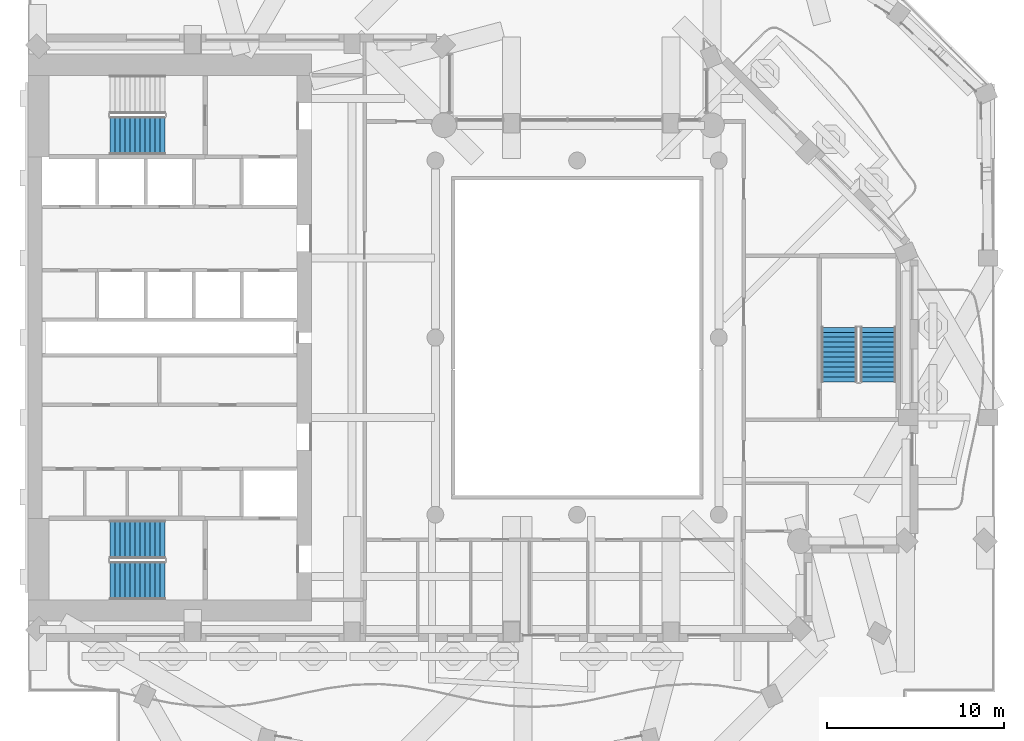
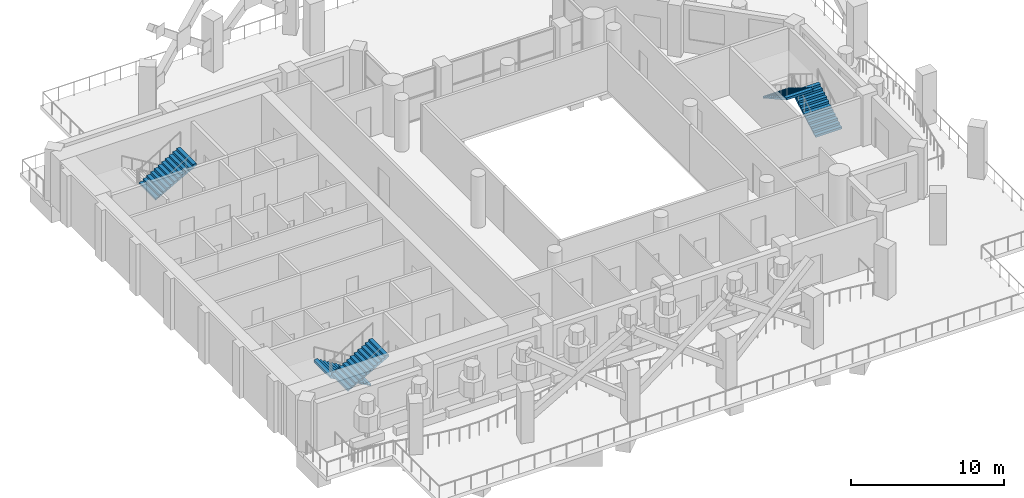
# One storey, part 10 of 18: 5 stair flights, 3 elements without a shape of their own.
"""IFC4 building model written with IfcOpenShell, lengths in metres."""

from ifc_helpers import new_model, si_unit, direction, frame, origin, place, context, subcontext, project, spatial, triangles, material, type_object, element, aggregate, save


model = new_model("IFC4")

# Units and contexts
model_context = context("Model", 3, precision=1e-05, world=origin(), true_north=direction((0.0, 1.0)))
body_context = subcontext(model_context, "Body", "Model", "MODEL_VIEW")
ifc_project = project(units=[si_unit("LENGTHUNIT", "METRE"), si_unit("AREAUNIT", "SQUARE_METRE"), si_unit("VOLUMEUNIT", "CUBIC_METRE"), si_unit("PLANEANGLEUNIT", "RADIAN"), si_unit("MASSUNIT", "GRAM", prefix="KILO")], contexts=[model_context])

# Site, building, storey
site_placement = place(None, origin())
site = spatial("IfcSite", under=ifc_project, at=site_placement, CompositionType="ELEMENT")
building_placement = place(site_placement, origin())
building = spatial("IfcBuilding", under=site, at=building_placement, Name="Cypress Arch Tower", CompositionType="ELEMENT")
storey_placement = place(building_placement, frame((0.0, 0.0, 160.5)))
storey = spatial("IfcBuildingStorey", under=building, at=storey_placement, Name="L34", CompositionType="ELEMENT", Elevation=160.5)

# Stair, stair flights
ifc_material_1 = material(Name="Concrete C40/50", Category="concrete")
stair_type_1 = type_object("IfcStairType", Name="Exit stair ES1708-200", PredefinedType="HALF_TURN_STAIR", material=ifc_material_1)
stair_1_placement = place(storey_placement, origin())
stair_1 = element("IfcStair", 1, at=stair_1_placement, inside=storey, type_object=stair_type_1, Name="L34 Exit stair C", PredefinedType="HALF_TURN_STAIR")
ifc_material_2 = material(Name="Concrete C40/50", Category="concrete")
stair_flight_type_1 = type_object("IfcStairFlightType", Name="Exit stair flight ES1708-200", PredefinedType="STRAIGHT", material=ifc_material_2)
stair_flight_1_placement = place(storey_placement, frame((18.0, -2.5, 0.0), z_axis=(0.0, 0.0, 1.0), x_axis=(0.0, 1.0, 0.0)))
stair_flight_1 = element("IfcStairFlight", 2, at=stair_flight_1_placement, type_object=stair_flight_type_1, Name="C flight 1", NumberOfRisers=12, NumberOfTreads=11, PredefinedType="STRAIGHT", RiserHeight=0.170833333, TreadLength=0.28, context=body_context, shape_type="Tessellation", body=[
    triangles([(0.0, -1.0, 0.0), (0.0, -1.0, 0.1708984375), (0.280029296875, -1.0, 0.1708984375), (0.280029296875, -1.0, 0.341552734375), (0.56005859375, -1.0, 0.341552734375), (0.56005859375, -1.0, 0.512451171875), (0.840087890625, -1.0, 0.512451171875), (0.840087890625, -1.0, 0.683349609375), (1.1201171875, -1.0, 0.683349609375), (1.1201171875, -1.0, 0.854248046875), (1.39990234375, -1.0, 0.854248046875), (1.39990234375, -1.0, 1.02490234375), (1.679931640625, -1.0, 1.02490234375), (1.679931640625, -1.0, 1.19580078125), (1.9599609375, -1.0, 1.19580078125), (1.9599609375, -1.0, 1.36669921875), (2.239990234375, -1.0, 1.36669921875), (2.239990234375, -1.0, 1.53759765625), (2.52001953125, -1.0, 1.53759765625), (2.52001953125, -1.0, 1.708251953125), (2.800048828125, -1.0, 1.708251953125), (2.800048828125, -1.0, 1.879150390625), (3.080078125, -1.0, 1.879150390625), (3.080078125, -1.0, 1.70361328125), (3.080078125, 1.0, 1.70361328125), (3.080078125, 1.0, 1.879150390625), (2.800048828125, 1.0, 1.879150390625), (2.800048828125, 1.0, 1.708251953125), (2.52001953125, 1.0, 1.708251953125), (2.52001953125, 1.0, 1.53759765625), (2.239990234375, 1.0, 1.53759765625), (2.239990234375, 1.0, 1.36669921875), (1.9599609375, 1.0, 1.36669921875), (1.9599609375, 1.0, 1.19580078125), (1.679931640625, 1.0, 1.19580078125), (1.679931640625, 1.0, 1.02490234375), (1.39990234375, 1.0, 1.02490234375), (1.39990234375, 1.0, 0.854248046875), (1.1201171875, 1.0, 0.854248046875), (1.1201171875, 1.0, 0.683349609375), (0.840087890625, 1.0, 0.683349609375), (0.840087890625, 1.0, 0.512451171875), (0.56005859375, 1.0, 0.512451171875), (0.56005859375, 1.0, 0.341552734375), (0.280029296875, 1.0, 0.341552734375), (0.280029296875, 1.0, 0.1708984375), (0.0, 1.0, 0.1708984375), (0.0, 1.0, 0.0), (3.080078125, 0.0, 1.879150390625), (3.080078125, 0.0, 1.70361328125), (2.800048828125, 0.0, 1.879150390625), (2.800048828125, 0.0, 1.708251953125), (2.52001953125, 0.0, 1.708251953125), (2.52001953125, 0.0, 1.53759765625), (2.239990234375, 0.0, 1.53759765625), (2.239990234375, 0.0, 1.36669921875), (1.9599609375, 0.0, 1.36669921875), (1.9599609375, 0.0, 1.19580078125), (1.679931640625, 0.0, 1.19580078125), (1.679931640625, 0.0, 1.02490234375), (1.39990234375, 0.0, 1.02490234375), (1.39990234375, 0.0, 0.854248046875), (1.1201171875, 0.0, 0.854248046875), (1.1201171875, 0.0, 0.683349609375), (0.840087890625, 0.0, 0.683349609375), (0.840087890625, 0.0, 0.512451171875), (0.56005859375, 0.0, 0.512451171875), (0.56005859375, 0.0, 0.341552734375), (0.280029296875, 0.0, 0.341552734375), (0.280029296875, 0.0, 0.1708984375), (0.0, 0.0, 0.1708984375), (0.0, 0.0, 0.0)], [[24, 23, 22], [11, 10, 9], [19, 18, 17], [17, 16, 15], [15, 14, 13], [9, 8, 7], [7, 6, 5], [3, 2, 1], [21, 20, 19], [13, 12, 11], [5, 4, 3], [24, 22, 21], [24, 21, 19], [24, 19, 17], [24, 17, 15], [24, 15, 13], [24, 13, 11], [24, 11, 9], [24, 9, 7], [24, 7, 5], [1, 24, 5], [5, 3, 1], [25, 27, 26], [38, 40, 39], [30, 32, 31], [32, 34, 33], [34, 36, 35], [40, 42, 41], [42, 44, 43], [46, 48, 47], [28, 30, 29], [36, 38, 37], [44, 46, 45], [25, 28, 27], [25, 30, 28], [25, 32, 30], [25, 34, 32], [25, 36, 34], [25, 38, 36], [25, 40, 38], [25, 42, 40], [25, 44, 42], [48, 44, 25], [44, 48, 46], [50, 49, 23], [50, 23, 24], [25, 26, 49], [25, 49, 50], [49, 51, 22], [49, 22, 23], [26, 27, 51], [26, 51, 49], [51, 52, 21], [51, 21, 22], [27, 28, 52], [27, 52, 51], [52, 53, 20], [52, 20, 21], [28, 29, 53], [28, 53, 52], [53, 54, 19], [53, 19, 20], [29, 30, 54], [29, 54, 53], [54, 55, 18], [54, 18, 19], [30, 31, 55], [30, 55, 54], [55, 56, 17], [55, 17, 18], [31, 32, 56], [31, 56, 55], [56, 57, 16], [56, 16, 17], [32, 33, 57], [32, 57, 56], [57, 58, 15], [57, 15, 16], [33, 34, 58], [33, 58, 57], [58, 59, 14], [58, 14, 15], [34, 35, 59], [34, 59, 58], [59, 60, 13], [59, 13, 14], [35, 36, 60], [35, 60, 59], [60, 61, 12], [60, 12, 13], [36, 37, 61], [36, 61, 60], [61, 62, 11], [61, 11, 12], [37, 38, 62], [37, 62, 61], [62, 63, 10], [62, 10, 11], [38, 39, 63], [38, 63, 62], [63, 64, 9], [63, 9, 10], [39, 40, 64], [39, 64, 63], [64, 65, 8], [64, 8, 9], [40, 41, 65], [40, 65, 64], [65, 66, 7], [65, 7, 8], [41, 42, 66], [41, 66, 65], [66, 67, 6], [66, 6, 7], [42, 43, 67], [42, 67, 66], [67, 68, 5], [67, 5, 6], [43, 44, 68], [43, 68, 67], [68, 69, 4], [68, 4, 5], [44, 45, 69], [44, 69, 68], [69, 70, 3], [69, 3, 4], [45, 46, 70], [45, 70, 69], [70, 71, 2], [70, 2, 3], [46, 47, 71], [46, 71, 70], [71, 72, 1], [71, 1, 2], [47, 48, 72], [47, 72, 71], [72, 50, 24], [72, 24, 1], [48, 25, 50], [48, 50, 72]], closed=True),
])
stair_flight_2_placement = place(storey_placement, frame((15.800048828125, 0.580078125, 2.050048828125), z_axis=(0.0, 0.0, 1.0), x_axis=(0.0, -1.0, 0.0)))
stair_flight_2 = element("IfcStairFlight", 3, at=stair_flight_2_placement, type_object=stair_flight_type_1, Name="C flight 2", NumberOfRisers=12, NumberOfTreads=11, PredefinedType="STRAIGHT", RiserHeight=0.170833333, TreadLength=0.28, context=body_context, shape_type="Tessellation", body=[
    triangles([(0.0, -1.0, 0.0), (0.0, -1.0, 0.1708984375), (0.280029296875, -1.0, 0.1708984375), (0.280029296875, -1.0, 0.341552734375), (0.56005859375, -1.0, 0.341552734375), (0.56005859375, -1.0, 0.512451171875), (0.840087890625, -1.0, 0.512451171875), (0.840087890625, -1.0, 0.683349609375), (1.1201171875, -1.0, 0.683349609375), (1.1201171875, -1.0, 0.854248046875), (1.39990234375, -1.0, 0.854248046875), (1.39990234375, -1.0, 1.02490234375), (1.679931640625, -1.0, 1.02490234375), (1.679931640625, -1.0, 1.19580078125), (1.9599609375, -1.0, 1.19580078125), (1.9599609375, -1.0, 1.36669921875), (2.239990234375, -1.0, 1.36669921875), (2.239990234375, -1.0, 1.53759765625), (2.52001953125, -1.0, 1.53759765625), (2.52001953125, -1.0, 1.708251953125), (2.800048828125, -1.0, 1.708251953125), (2.800048828125, -1.0, 1.879150390625), (3.080078125, -1.0, 1.879150390625), (3.080078125, -1.0, 1.70361328125), (3.080078125, 1.0, 1.70361328125), (3.080078125, 1.0, 1.879150390625), (2.800048828125, 1.0, 1.879150390625), (2.800048828125, 1.0, 1.708251953125), (2.52001953125, 1.0, 1.708251953125), (2.52001953125, 1.0, 1.53759765625), (2.239990234375, 1.0, 1.53759765625), (2.239990234375, 1.0, 1.36669921875), (1.9599609375, 1.0, 1.36669921875), (1.9599609375, 1.0, 1.19580078125), (1.679931640625, 1.0, 1.19580078125), (1.679931640625, 1.0, 1.02490234375), (1.39990234375, 1.0, 1.02490234375), (1.39990234375, 1.0, 0.854248046875), (1.1201171875, 1.0, 0.854248046875), (1.1201171875, 1.0, 0.683349609375), (0.840087890625, 1.0, 0.683349609375), (0.840087890625, 1.0, 0.512451171875), (0.56005859375, 1.0, 0.512451171875), (0.56005859375, 1.0, 0.341552734375), (0.280029296875, 1.0, 0.341552734375), (0.280029296875, 1.0, 0.1708984375), (0.0, 1.0, 0.1708984375), (0.0, 1.0, 0.0), (3.080078125, 0.0, 1.879150390625), (3.080078125, 0.0, 1.70361328125), (2.800048828125, 0.0, 1.879150390625), (2.800048828125, 0.0, 1.708251953125), (2.52001953125, 0.0, 1.708251953125), (2.52001953125, 0.0, 1.53759765625), (2.239990234375, 0.0, 1.53759765625), (2.239990234375, 0.0, 1.36669921875), (1.9599609375, 0.0, 1.36669921875), (1.9599609375, 0.0, 1.19580078125), (1.679931640625, 0.0, 1.19580078125), (1.679931640625, 0.0, 1.02490234375), (1.39990234375, 0.0, 1.02490234375), (1.39990234375, 0.0, 0.854248046875), (1.1201171875, 0.0, 0.854248046875), (1.1201171875, 0.0, 0.683349609375), (0.840087890625, 0.0, 0.683349609375), (0.840087890625, 0.0, 0.512451171875), (0.56005859375, 0.0, 0.512451171875), (0.56005859375, 0.0, 0.341552734375), (0.280029296875, 0.0, 0.341552734375), (0.280029296875, 0.0, 0.1708984375), (0.0, 0.0, 0.1708984375), (0.0, 0.0, 0.0)], [[24, 23, 22], [11, 10, 9], [19, 18, 17], [17, 16, 15], [15, 14, 13], [9, 8, 7], [7, 6, 5], [3, 2, 1], [21, 20, 19], [13, 12, 11], [5, 4, 3], [24, 22, 21], [24, 21, 19], [24, 19, 17], [24, 17, 15], [24, 15, 13], [24, 13, 11], [24, 11, 9], [24, 9, 7], [24, 7, 5], [1, 24, 5], [5, 3, 1], [25, 27, 26], [38, 40, 39], [30, 32, 31], [32, 34, 33], [34, 36, 35], [40, 42, 41], [42, 44, 43], [46, 48, 47], [28, 30, 29], [36, 38, 37], [44, 46, 45], [25, 28, 27], [25, 30, 28], [25, 32, 30], [25, 34, 32], [25, 36, 34], [25, 38, 36], [25, 40, 38], [25, 42, 40], [25, 44, 42], [48, 44, 25], [44, 48, 46], [50, 49, 23], [50, 23, 24], [25, 26, 49], [25, 49, 50], [49, 51, 22], [49, 22, 23], [26, 27, 51], [26, 51, 49], [51, 52, 21], [51, 21, 22], [27, 28, 52], [27, 52, 51], [52, 53, 20], [52, 20, 21], [28, 29, 53], [28, 53, 52], [53, 54, 19], [53, 19, 20], [29, 30, 54], [29, 54, 53], [54, 55, 18], [54, 18, 19], [30, 31, 55], [30, 55, 54], [55, 56, 17], [55, 17, 18], [31, 32, 56], [31, 56, 55], [56, 57, 16], [56, 16, 17], [32, 33, 57], [32, 57, 56], [57, 58, 15], [57, 15, 16], [33, 34, 58], [33, 58, 57], [58, 59, 14], [58, 14, 15], [34, 35, 59], [34, 59, 58], [59, 60, 13], [59, 13, 14], [35, 36, 60], [35, 60, 59], [60, 61, 12], [60, 12, 13], [36, 37, 61], [36, 61, 60], [61, 62, 11], [61, 11, 12], [37, 38, 62], [37, 62, 61], [62, 63, 10], [62, 10, 11], [38, 39, 63], [38, 63, 62], [63, 64, 9], [63, 9, 10], [39, 40, 64], [39, 64, 63], [64, 65, 8], [64, 8, 9], [40, 41, 65], [40, 65, 64], [65, 66, 7], [65, 7, 8], [41, 42, 66], [41, 66, 65], [66, 67, 6], [66, 6, 7], [42, 43, 67], [42, 67, 66], [67, 68, 5], [67, 5, 6], [43, 44, 68], [43, 68, 67], [68, 69, 4], [68, 4, 5], [44, 45, 69], [44, 69, 68], [69, 70, 3], [69, 3, 4], [45, 46, 70], [45, 70, 69], [70, 71, 2], [70, 2, 3], [46, 47, 71], [46, 71, 70], [71, 72, 1], [71, 1, 2], [47, 48, 72], [47, 72, 71], [72, 50, 24], [72, 24, 1], [48, 25, 50], [48, 50, 72]], closed=True),
])
aggregate(stair_1, [stair_flight_1, stair_flight_2])

ifc_material_3 = material(Name="Concrete C40/50", Category="concrete")
stair_type_2 = type_object("IfcStairType", Name="Exit stair ES1708-215", PredefinedType="HALF_TURN_STAIR", material=ifc_material_3)
stair_2_placement = place(storey_placement, origin())
stair_2 = element("IfcStair", 4, at=stair_2_placement, inside=storey, type_object=stair_type_2, Name="L34 Exit stair A", PredefinedType="HALF_TURN_STAIR")
ifc_material_4 = material(Name="Concrete C40/50", Category="concrete")
stair_flight_type_2 = type_object("IfcStairFlightType", Name="Exit stair flight ES1708-215", PredefinedType="STRAIGHT", material=ifc_material_4)
stair_flight_3_placement = place(storey_placement, frame((-22.27490234375, -11.39990234375, 0.0), z_axis=(0.0, 0.0, 1.0), x_axis=(-1.0, 0.0, 0.0)))
stair_flight_3 = element("IfcStairFlight", 5, at=stair_flight_3_placement, type_object=stair_flight_type_2, Name="A flight 1", NumberOfRisers=12, NumberOfTreads=11, PredefinedType="STRAIGHT", RiserHeight=0.170833333, TreadLength=0.28, context=body_context, shape_type="Tessellation", body=[
    triangles([(0.0, -1.074951171875, 0.0), (0.000244140625, -1.074951171875, 0.01904296875), (0.000244140625, -1.074951171875, 0.0380859375), (0.00048828125, -1.074951171875, 0.056884765625), (0.00048828125, -1.074951171875, 0.075927734375), (0.00048828125, -1.074951171875, 0.094970703125), (0.00048828125, -1.074951171875, 0.114013671875), (0.000244140625, -1.074951171875, 0.1328125), (0.000244140625, -1.074951171875, 0.15185546875), (0.0, -1.074951171875, 0.1708984375), (0.280029296875, -1.074951171875, 0.1708984375), (0.280029296875, -1.074951171875, 0.341552734375), (0.56005859375, -1.074951171875, 0.341552734375), (0.56005859375, -1.074951171875, 0.512451171875), (0.840087890625, -1.074951171875, 0.512451171875), (0.840087890625, -1.074951171875, 0.683349609375), (1.1201171875, -1.074951171875, 0.683349609375), (1.1201171875, -1.074951171875, 0.854248046875), (1.39990234375, -1.074951171875, 0.854248046875), (1.39990234375, -1.074951171875, 1.02490234375), (1.679931640625, -1.074951171875, 1.02490234375), (1.679931640625, -1.074951171875, 1.19580078125), (1.9599609375, -1.074951171875, 1.19580078125), (1.9599609375, -1.074951171875, 1.36669921875), (2.239990234375, -1.074951171875, 1.36669921875), (2.239990234375, -1.074951171875, 1.53759765625), (2.52001953125, -1.074951171875, 1.53759765625), (2.52001953125, -1.074951171875, 1.708251953125), (2.800048828125, -1.074951171875, 1.708251953125), (2.800048828125, -1.074951171875, 1.879150390625), (3.080078125, -1.074951171875, 1.879150390625), (3.079833984375, -1.074951171875, 1.859619140625), (3.079833984375, -1.074951171875, 1.840087890625), (3.07958984375, -1.074951171875, 1.820556640625), (3.07958984375, -1.074951171875, 1.801025390625), (3.07958984375, -1.074951171875, 1.78173828125), (3.07958984375, -1.074951171875, 1.76220703125), (3.079833984375, -1.074951171875, 1.74267578125), (3.079833984375, -1.074951171875, 1.72314453125), (3.080078125, -1.074951171875, 1.70361328125), (3.080078125, 1.074951171875, 1.70361328125), (3.079833984375, 1.074951171875, 1.72314453125), (3.079833984375, 1.074951171875, 1.74267578125), (3.07958984375, 1.074951171875, 1.76220703125), (3.07958984375, 1.074951171875, 1.78173828125), (3.07958984375, 1.074951171875, 1.801025390625), (3.07958984375, 1.074951171875, 1.820556640625), (3.079833984375, 1.074951171875, 1.840087890625), (3.079833984375, 1.074951171875, 1.859619140625), (3.080078125, 1.074951171875, 1.879150390625), (2.800048828125, 1.074951171875, 1.879150390625), (2.800048828125, 1.074951171875, 1.708251953125), (2.52001953125, 1.074951171875, 1.708251953125), (2.52001953125, 1.074951171875, 1.53759765625), (2.239990234375, 1.074951171875, 1.53759765625), (2.239990234375, 1.074951171875, 1.36669921875), (1.9599609375, 1.074951171875, 1.36669921875), (1.9599609375, 1.074951171875, 1.19580078125), (1.679931640625, 1.074951171875, 1.19580078125), (1.679931640625, 1.074951171875, 1.02490234375), (1.39990234375, 1.074951171875, 1.02490234375), (1.39990234375, 1.074951171875, 0.854248046875), (1.1201171875, 1.074951171875, 0.854248046875), (1.1201171875, 1.074951171875, 0.683349609375), (0.840087890625, 1.074951171875, 0.683349609375), (0.840087890625, 1.074951171875, 0.512451171875), (0.56005859375, 1.074951171875, 0.512451171875), (0.56005859375, 1.074951171875, 0.341552734375), (0.280029296875, 1.074951171875, 0.341552734375), (0.280029296875, 1.074951171875, 0.1708984375), (0.0, 1.074951171875, 0.1708984375), (0.000244140625, 1.074951171875, 0.15185546875), (0.000244140625, 1.074951171875, 0.1328125), (0.00048828125, 1.074951171875, 0.114013671875), (0.00048828125, 1.074951171875, 0.094970703125), (0.00048828125, 1.074951171875, 0.075927734375), (0.00048828125, 1.074951171875, 0.056884765625), (0.000244140625, 1.074951171875, 0.0380859375), (0.000244140625, 1.074951171875, 0.01904296875), (0.0, 1.074951171875, 0.0)], [[40, 39, 30], [39, 38, 30], [38, 37, 30], [37, 36, 30], [36, 35, 30], [35, 34, 30], [34, 33, 30], [33, 32, 30], [32, 31, 30], [19, 18, 17], [27, 26, 25], [25, 24, 23], [23, 22, 21], [17, 16, 15], [15, 14, 13], [10, 9, 11], [9, 8, 11], [8, 7, 11], [7, 6, 11], [6, 5, 11], [5, 4, 11], [4, 3, 11], [3, 2, 11], [2, 1, 11], [29, 28, 27], [21, 20, 19], [13, 12, 11], [40, 30, 29], [40, 29, 27], [40, 27, 25], [40, 25, 23], [40, 23, 21], [40, 21, 19], [40, 19, 17], [40, 17, 15], [40, 15, 13], [1, 40, 13], [13, 11, 1], [41, 51, 42], [42, 51, 43], [43, 51, 44], [44, 51, 45], [45, 51, 46], [46, 51, 47], [47, 51, 48], [48, 51, 49], [49, 51, 50], [62, 64, 63], [54, 56, 55], [56, 58, 57], [58, 60, 59], [64, 66, 65], [66, 68, 67], [71, 70, 72], [72, 70, 73], [73, 70, 74], [74, 70, 75], [75, 70, 76], [76, 70, 77], [77, 70, 78], [78, 70, 79], [79, 70, 80], [52, 54, 53], [60, 62, 61], [68, 70, 69], [41, 52, 51], [41, 54, 52], [41, 56, 54], [41, 58, 56], [41, 60, 58], [41, 62, 60], [41, 64, 62], [41, 66, 64], [41, 68, 66], [80, 68, 41], [68, 80, 70], [41, 42, 39], [41, 39, 40], [42, 43, 38], [42, 38, 39], [43, 44, 37], [43, 37, 38], [44, 45, 36], [44, 36, 37], [45, 46, 35], [45, 35, 36], [46, 47, 34], [46, 34, 35], [47, 48, 33], [47, 33, 34], [48, 49, 32], [48, 32, 33], [49, 50, 31], [49, 31, 32], [50, 51, 30], [50, 30, 31], [51, 52, 29], [51, 29, 30], [52, 53, 28], [52, 28, 29], [53, 54, 27], [53, 27, 28], [54, 55, 26], [54, 26, 27], [55, 56, 25], [55, 25, 26], [56, 57, 24], [56, 24, 25], [57, 58, 23], [57, 23, 24], [58, 59, 22], [58, 22, 23], [59, 60, 21], [59, 21, 22], [60, 61, 20], [60, 20, 21], [61, 62, 19], [61, 19, 20], [62, 63, 18], [62, 18, 19], [63, 64, 17], [63, 17, 18], [64, 65, 16], [64, 16, 17], [65, 66, 15], [65, 15, 16], [66, 67, 14], [66, 14, 15], [67, 68, 13], [67, 13, 14], [68, 69, 12], [68, 12, 13], [69, 70, 11], [69, 11, 12], [70, 71, 10], [70, 10, 11], [71, 72, 9], [71, 9, 10], [72, 73, 8], [72, 8, 9], [73, 74, 7], [73, 7, 8], [74, 75, 6], [74, 6, 7], [75, 76, 5], [75, 5, 6], [76, 77, 4], [76, 4, 5], [77, 78, 3], [77, 3, 4], [78, 79, 2], [78, 2, 3], [79, 80, 1], [79, 1, 2], [80, 41, 40], [80, 40, 1]], closed=True),
])
stair_flight_4_placement = place(storey_placement, frame((-25.35498046875, -13.72509765625, 2.050048828125), z_axis=(0.0, 0.0, 1.0), x_axis=(1.0, 0.0, 0.0)))
stair_flight_4 = element("IfcStairFlight", 6, at=stair_flight_4_placement, type_object=stair_flight_type_2, Name="A flight 2", NumberOfRisers=12, NumberOfTreads=11, PredefinedType="STRAIGHT", RiserHeight=0.170833333, TreadLength=0.28, context=body_context, shape_type="Tessellation", body=[
    triangles([(0.0, -1.074951171875, 0.0), (0.000244140625, -1.074951171875, 0.01904296875), (0.000244140625, -1.074951171875, 0.0380859375), (0.00048828125, -1.074951171875, 0.056884765625), (0.00048828125, -1.074951171875, 0.075927734375), (0.00048828125, -1.074951171875, 0.094970703125), (0.00048828125, -1.074951171875, 0.114013671875), (0.000244140625, -1.074951171875, 0.1328125), (0.000244140625, -1.074951171875, 0.15185546875), (0.0, -1.074951171875, 0.1708984375), (0.280029296875, -1.074951171875, 0.1708984375), (0.280029296875, -1.074951171875, 0.341552734375), (0.56005859375, -1.074951171875, 0.341552734375), (0.56005859375, -1.074951171875, 0.512451171875), (0.840087890625, -1.074951171875, 0.512451171875), (0.840087890625, -1.074951171875, 0.683349609375), (1.1201171875, -1.074951171875, 0.683349609375), (1.1201171875, -1.074951171875, 0.854248046875), (1.39990234375, -1.074951171875, 0.854248046875), (1.39990234375, -1.074951171875, 1.02490234375), (1.679931640625, -1.074951171875, 1.02490234375), (1.679931640625, -1.074951171875, 1.19580078125), (1.9599609375, -1.074951171875, 1.19580078125), (1.9599609375, -1.074951171875, 1.36669921875), (2.239990234375, -1.074951171875, 1.36669921875), (2.239990234375, -1.074951171875, 1.53759765625), (2.52001953125, -1.074951171875, 1.53759765625), (2.52001953125, -1.074951171875, 1.708251953125), (2.800048828125, -1.074951171875, 1.708251953125), (2.800048828125, -1.074951171875, 1.879150390625), (3.080078125, -1.074951171875, 1.879150390625), (3.079833984375, -1.074951171875, 1.859619140625), (3.079833984375, -1.074951171875, 1.840087890625), (3.07958984375, -1.074951171875, 1.820556640625), (3.07958984375, -1.074951171875, 1.801025390625), (3.07958984375, -1.074951171875, 1.78173828125), (3.07958984375, -1.074951171875, 1.76220703125), (3.079833984375, -1.074951171875, 1.74267578125), (3.079833984375, -1.074951171875, 1.72314453125), (3.080078125, -1.074951171875, 1.70361328125), (3.080078125, 1.074951171875, 1.70361328125), (3.079833984375, 1.074951171875, 1.72314453125), (3.079833984375, 1.074951171875, 1.74267578125), (3.07958984375, 1.074951171875, 1.76220703125), (3.07958984375, 1.074951171875, 1.78173828125), (3.07958984375, 1.074951171875, 1.801025390625), (3.07958984375, 1.074951171875, 1.820556640625), (3.079833984375, 1.074951171875, 1.840087890625), (3.079833984375, 1.074951171875, 1.859619140625), (3.080078125, 1.074951171875, 1.879150390625), (2.800048828125, 1.074951171875, 1.879150390625), (2.800048828125, 1.074951171875, 1.708251953125), (2.52001953125, 1.074951171875, 1.708251953125), (2.52001953125, 1.074951171875, 1.53759765625), (2.239990234375, 1.074951171875, 1.53759765625), (2.239990234375, 1.074951171875, 1.36669921875), (1.9599609375, 1.074951171875, 1.36669921875), (1.9599609375, 1.074951171875, 1.19580078125), (1.679931640625, 1.074951171875, 1.19580078125), (1.679931640625, 1.074951171875, 1.02490234375), (1.39990234375, 1.074951171875, 1.02490234375), (1.39990234375, 1.074951171875, 0.854248046875), (1.1201171875, 1.074951171875, 0.854248046875), (1.1201171875, 1.074951171875, 0.683349609375), (0.840087890625, 1.074951171875, 0.683349609375), (0.840087890625, 1.074951171875, 0.512451171875), (0.56005859375, 1.074951171875, 0.512451171875), (0.56005859375, 1.074951171875, 0.341552734375), (0.280029296875, 1.074951171875, 0.341552734375), (0.280029296875, 1.074951171875, 0.1708984375), (0.0, 1.074951171875, 0.1708984375), (0.000244140625, 1.074951171875, 0.15185546875), (0.000244140625, 1.074951171875, 0.1328125), (0.00048828125, 1.074951171875, 0.114013671875), (0.00048828125, 1.074951171875, 0.094970703125), (0.00048828125, 1.074951171875, 0.075927734375), (0.00048828125, 1.074951171875, 0.056884765625), (0.000244140625, 1.074951171875, 0.0380859375), (0.000244140625, 1.074951171875, 0.01904296875), (0.0, 1.074951171875, 0.0)], [[40, 39, 30], [39, 38, 30], [38, 37, 30], [37, 36, 30], [36, 35, 30], [35, 34, 30], [34, 33, 30], [33, 32, 30], [32, 31, 30], [19, 18, 17], [27, 26, 25], [25, 24, 23], [23, 22, 21], [17, 16, 15], [15, 14, 13], [10, 9, 11], [9, 8, 11], [8, 7, 11], [7, 6, 11], [6, 5, 11], [5, 4, 11], [4, 3, 11], [3, 2, 11], [2, 1, 11], [29, 28, 27], [21, 20, 19], [13, 12, 11], [40, 30, 29], [40, 29, 27], [40, 27, 25], [40, 25, 23], [40, 23, 21], [40, 21, 19], [40, 19, 17], [40, 17, 15], [40, 15, 13], [1, 40, 13], [13, 11, 1], [41, 51, 42], [42, 51, 43], [43, 51, 44], [44, 51, 45], [45, 51, 46], [46, 51, 47], [47, 51, 48], [48, 51, 49], [49, 51, 50], [62, 64, 63], [54, 56, 55], [56, 58, 57], [58, 60, 59], [64, 66, 65], [66, 68, 67], [71, 70, 72], [72, 70, 73], [73, 70, 74], [74, 70, 75], [75, 70, 76], [76, 70, 77], [77, 70, 78], [78, 70, 79], [79, 70, 80], [52, 54, 53], [60, 62, 61], [68, 70, 69], [41, 52, 51], [41, 54, 52], [41, 56, 54], [41, 58, 56], [41, 60, 58], [41, 62, 60], [41, 64, 62], [41, 66, 64], [41, 68, 66], [80, 68, 41], [68, 80, 70], [41, 42, 39], [41, 39, 40], [42, 43, 38], [42, 38, 39], [43, 44, 37], [43, 37, 38], [44, 45, 36], [44, 36, 37], [45, 46, 35], [45, 35, 36], [46, 47, 34], [46, 34, 35], [47, 48, 33], [47, 33, 34], [48, 49, 32], [48, 32, 33], [49, 50, 31], [49, 31, 32], [50, 51, 30], [50, 30, 31], [51, 52, 29], [51, 29, 30], [52, 53, 28], [52, 28, 29], [53, 54, 27], [53, 27, 28], [54, 55, 26], [54, 26, 27], [55, 56, 25], [55, 25, 26], [56, 57, 24], [56, 24, 25], [57, 58, 23], [57, 23, 24], [58, 59, 22], [58, 22, 23], [59, 60, 21], [59, 21, 22], [60, 61, 20], [60, 20, 21], [61, 62, 19], [61, 19, 20], [62, 63, 18], [62, 18, 19], [63, 64, 17], [63, 17, 18], [64, 65, 16], [64, 16, 17], [65, 66, 15], [65, 15, 16], [66, 67, 14], [66, 14, 15], [67, 68, 13], [67, 13, 14], [68, 69, 12], [68, 12, 13], [69, 70, 11], [69, 11, 12], [70, 71, 10], [70, 10, 11], [71, 72, 9], [71, 9, 10], [72, 73, 8], [72, 8, 9], [73, 74, 7], [73, 7, 8], [74, 75, 6], [74, 6, 7], [75, 76, 5], [75, 5, 6], [76, 77, 4], [76, 4, 5], [77, 78, 3], [77, 3, 4], [78, 79, 2], [78, 2, 3], [79, 80, 1], [79, 1, 2], [80, 41, 40], [80, 40, 1]], closed=True),
])
aggregate(stair_2, [stair_flight_3, stair_flight_4])

# Stair, stair flight
stair_3_placement = place(storey_placement, origin())
stair_3 = element("IfcStair", 7, at=stair_3_placement, inside=storey, type_object=stair_type_2, Name="L34 Exit stair B", PredefinedType="HALF_TURN_STAIR")
stair_flight_5_placement = place(storey_placement, frame((-25.35498046875, 11.39990234375, 2.050048828125), z_axis=(0.0, 0.0, 1.0), x_axis=(1.0, 0.0, 0.0)))
stair_flight_5 = element("IfcStairFlight", 8, at=stair_flight_5_placement, type_object=stair_flight_type_2, Name="B flight 2", NumberOfRisers=12, NumberOfTreads=11, PredefinedType="STRAIGHT", RiserHeight=0.170833333, TreadLength=0.28, context=body_context, shape_type="Tessellation", body=[
    triangles([(0.0, -1.074951171875, 0.0), (0.000244140625, -1.074951171875, 0.01904296875), (0.000244140625, -1.074951171875, 0.0380859375), (0.00048828125, -1.074951171875, 0.056884765625), (0.00048828125, -1.074951171875, 0.075927734375), (0.00048828125, -1.074951171875, 0.094970703125), (0.00048828125, -1.074951171875, 0.114013671875), (0.000244140625, -1.074951171875, 0.1328125), (0.000244140625, -1.074951171875, 0.15185546875), (0.0, -1.074951171875, 0.1708984375), (0.280029296875, -1.074951171875, 0.1708984375), (0.280029296875, -1.074951171875, 0.341552734375), (0.56005859375, -1.074951171875, 0.341552734375), (0.56005859375, -1.074951171875, 0.512451171875), (0.840087890625, -1.074951171875, 0.512451171875), (0.840087890625, -1.074951171875, 0.683349609375), (1.1201171875, -1.074951171875, 0.683349609375), (1.1201171875, -1.074951171875, 0.854248046875), (1.39990234375, -1.074951171875, 0.854248046875), (1.39990234375, -1.074951171875, 1.02490234375), (1.679931640625, -1.074951171875, 1.02490234375), (1.679931640625, -1.074951171875, 1.19580078125), (1.9599609375, -1.074951171875, 1.19580078125), (1.9599609375, -1.074951171875, 1.36669921875), (2.239990234375, -1.074951171875, 1.36669921875), (2.239990234375, -1.074951171875, 1.53759765625), (2.52001953125, -1.074951171875, 1.53759765625), (2.52001953125, -1.074951171875, 1.708251953125), (2.800048828125, -1.074951171875, 1.708251953125), (2.800048828125, -1.074951171875, 1.879150390625), (3.080078125, -1.074951171875, 1.879150390625), (3.079833984375, -1.074951171875, 1.859619140625), (3.079833984375, -1.074951171875, 1.840087890625), (3.07958984375, -1.074951171875, 1.820556640625), (3.07958984375, -1.074951171875, 1.801025390625), (3.07958984375, -1.074951171875, 1.78173828125), (3.07958984375, -1.074951171875, 1.76220703125), (3.079833984375, -1.074951171875, 1.74267578125), (3.079833984375, -1.074951171875, 1.72314453125), (3.080078125, -1.074951171875, 1.70361328125), (3.080078125, 1.074951171875, 1.70361328125), (3.079833984375, 1.074951171875, 1.72314453125), (3.079833984375, 1.074951171875, 1.74267578125), (3.07958984375, 1.074951171875, 1.76220703125), (3.07958984375, 1.074951171875, 1.78173828125), (3.07958984375, 1.074951171875, 1.801025390625), (3.07958984375, 1.074951171875, 1.820556640625), (3.079833984375, 1.074951171875, 1.840087890625), (3.079833984375, 1.074951171875, 1.859619140625), (3.080078125, 1.074951171875, 1.879150390625), (2.800048828125, 1.074951171875, 1.879150390625), (2.800048828125, 1.074951171875, 1.708251953125), (2.52001953125, 1.074951171875, 1.708251953125), (2.52001953125, 1.074951171875, 1.53759765625), (2.239990234375, 1.074951171875, 1.53759765625), (2.239990234375, 1.074951171875, 1.36669921875), (1.9599609375, 1.074951171875, 1.36669921875), (1.9599609375, 1.074951171875, 1.19580078125), (1.679931640625, 1.074951171875, 1.19580078125), (1.679931640625, 1.074951171875, 1.02490234375), (1.39990234375, 1.074951171875, 1.02490234375), (1.39990234375, 1.074951171875, 0.854248046875), (1.1201171875, 1.074951171875, 0.854248046875), (1.1201171875, 1.074951171875, 0.683349609375), (0.840087890625, 1.074951171875, 0.683349609375), (0.840087890625, 1.074951171875, 0.512451171875), (0.56005859375, 1.074951171875, 0.512451171875), (0.56005859375, 1.074951171875, 0.341552734375), (0.280029296875, 1.074951171875, 0.341552734375), (0.280029296875, 1.074951171875, 0.1708984375), (0.0, 1.074951171875, 0.1708984375), (0.000244140625, 1.074951171875, 0.15185546875), (0.000244140625, 1.074951171875, 0.1328125), (0.00048828125, 1.074951171875, 0.114013671875), (0.00048828125, 1.074951171875, 0.094970703125), (0.00048828125, 1.074951171875, 0.075927734375), (0.00048828125, 1.074951171875, 0.056884765625), (0.000244140625, 1.074951171875, 0.0380859375), (0.000244140625, 1.074951171875, 0.01904296875), (0.0, 1.074951171875, 0.0)], [[40, 39, 30], [39, 38, 30], [38, 37, 30], [37, 36, 30], [36, 35, 30], [35, 34, 30], [34, 33, 30], [33, 32, 30], [32, 31, 30], [19, 18, 17], [27, 26, 25], [25, 24, 23], [23, 22, 21], [17, 16, 15], [15, 14, 13], [10, 9, 11], [9, 8, 11], [8, 7, 11], [7, 6, 11], [6, 5, 11], [5, 4, 11], [4, 3, 11], [3, 2, 11], [2, 1, 11], [29, 28, 27], [21, 20, 19], [13, 12, 11], [40, 30, 29], [40, 29, 27], [40, 27, 25], [40, 25, 23], [40, 23, 21], [40, 21, 19], [40, 19, 17], [40, 17, 15], [40, 15, 13], [1, 40, 13], [13, 11, 1], [41, 51, 42], [42, 51, 43], [43, 51, 44], [44, 51, 45], [45, 51, 46], [46, 51, 47], [47, 51, 48], [48, 51, 49], [49, 51, 50], [62, 64, 63], [54, 56, 55], [56, 58, 57], [58, 60, 59], [64, 66, 65], [66, 68, 67], [71, 70, 72], [72, 70, 73], [73, 70, 74], [74, 70, 75], [75, 70, 76], [76, 70, 77], [77, 70, 78], [78, 70, 79], [79, 70, 80], [52, 54, 53], [60, 62, 61], [68, 70, 69], [41, 52, 51], [41, 54, 52], [41, 56, 54], [41, 58, 56], [41, 60, 58], [41, 62, 60], [41, 64, 62], [41, 66, 64], [41, 68, 66], [80, 68, 41], [68, 80, 70], [41, 42, 39], [41, 39, 40], [42, 43, 38], [42, 38, 39], [43, 44, 37], [43, 37, 38], [44, 45, 36], [44, 36, 37], [45, 46, 35], [45, 35, 36], [46, 47, 34], [46, 34, 35], [47, 48, 33], [47, 33, 34], [48, 49, 32], [48, 32, 33], [49, 50, 31], [49, 31, 32], [50, 51, 30], [50, 30, 31], [51, 52, 29], [51, 29, 30], [52, 53, 28], [52, 28, 29], [53, 54, 27], [53, 27, 28], [54, 55, 26], [54, 26, 27], [55, 56, 25], [55, 25, 26], [56, 57, 24], [56, 24, 25], [57, 58, 23], [57, 23, 24], [58, 59, 22], [58, 22, 23], [59, 60, 21], [59, 21, 22], [60, 61, 20], [60, 20, 21], [61, 62, 19], [61, 19, 20], [62, 63, 18], [62, 18, 19], [63, 64, 17], [63, 17, 18], [64, 65, 16], [64, 16, 17], [65, 66, 15], [65, 15, 16], [66, 67, 14], [66, 14, 15], [67, 68, 13], [67, 13, 14], [68, 69, 12], [68, 12, 13], [69, 70, 11], [69, 11, 12], [70, 71, 10], [70, 10, 11], [71, 72, 9], [71, 9, 10], [72, 73, 8], [72, 8, 9], [73, 74, 7], [73, 7, 8], [74, 75, 6], [74, 6, 7], [75, 76, 5], [75, 5, 6], [76, 77, 4], [76, 4, 5], [77, 78, 3], [77, 3, 4], [78, 79, 2], [78, 2, 3], [79, 80, 1], [79, 1, 2], [80, 41, 40], [80, 40, 1]], closed=True),
])
aggregate(stair_3, [stair_flight_5])

save(model, "model.ifc")
